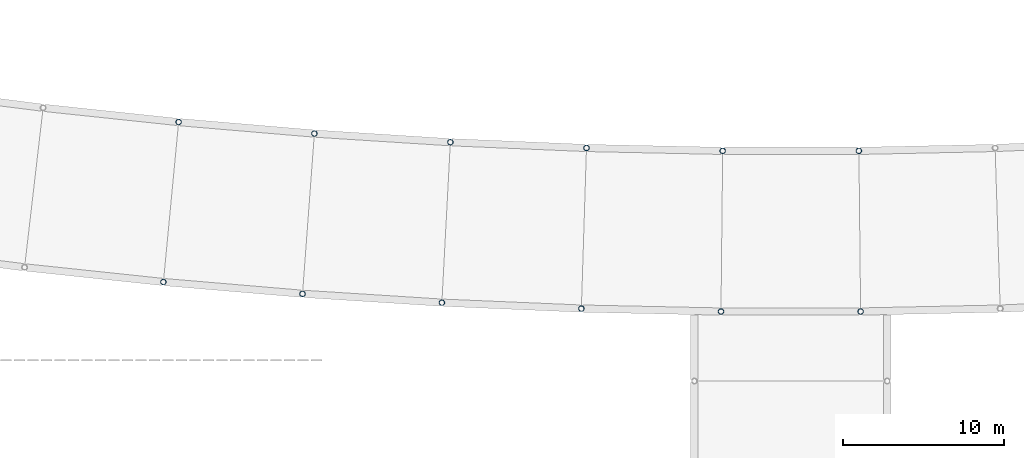
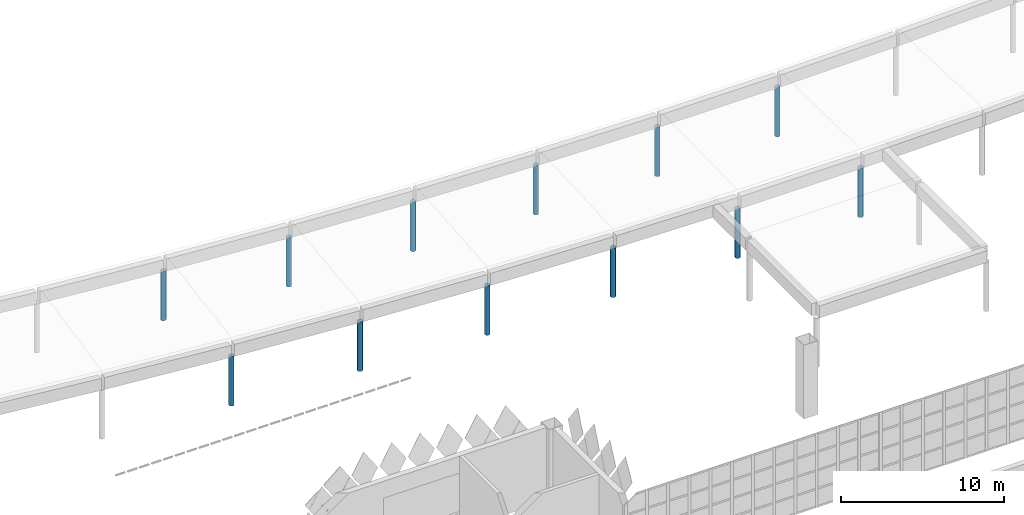
# One storey, part 10 of 185: 12 columns.
"""IFC4 building model written with IfcOpenShell, lengths in metres."""

from ifc_helpers import new_model, si_unit, direction, frame, origin, origin_2d, place, context, subcontext, project, spatial, hollow_circle, extrude, material, material_profile, profile_set, type_object, element, save


model = new_model("IFC4")

# Units and contexts
model_context = context("Model", 3, precision=1e-05, world=origin(), true_north=direction((0.0, 1.0)))
body_context = subcontext(model_context, "Body", "Model", "MODEL_VIEW")
ifc_project = project(units=[si_unit("LENGTHUNIT", "METRE"), si_unit("AREAUNIT", "SQUARE_METRE"), si_unit("VOLUMEUNIT", "CUBIC_METRE"), si_unit("PLANEANGLEUNIT", "RADIAN"), si_unit("MASSUNIT", "GRAM", prefix="KILO")], contexts=[model_context])

# Site, building, storey
site_placement = place(None, origin())
site = spatial("IfcSite", under=ifc_project, at=site_placement, CompositionType="ELEMENT")
building_placement = place(site_placement, origin())
building = spatial("IfcBuilding", under=site, at=building_placement, Name="Opaline Strait Convention Centre", CompositionType="ELEMENT")
storey_placement = place(building_placement, frame((0.0, 0.0, 6.0)))
storey = spatial("IfcBuildingStorey", under=building, at=storey_placement, Name="L01", CompositionType="ELEMENT", Elevation=6.0)

# Columns
ifc_material = material(Name="Steel Q355B", Category="steel")
ifc_material_profile = material_profile(ifc_material, hollow_circle(Radius=0.175537109375, WallThickness=0.01611328125, at=origin_2d()), Name="CHS 351x16")
ifc_profile_set = profile_set([ifc_material_profile], Name="Steel Q355B")
column_type = type_object("IfcColumnType", Name="Arcade column CHS 351x16", PredefinedType="COLUMN", material=ifc_profile_set)
for number, where, z_axis, x_axis, name in (
    (1, (140.96142578125, 171.358642578125, 0.0), (0.0, 0.0, 1.0), (1.0, 0.0, 0.0), "Arcade column SC-I06"),
    (2, (149.6181640625, 170.625732421875, 0.0), (0.0, 0.0, 1.0), (1.0, 0.0, 0.0), "Arcade column SC-I07"),
    (3, (158.28857421875, 170.074951171875, 0.0), (0.0, 0.0, 1.0), (1.0, 0.0, 0.0), "Arcade column SC-I08"),
    (4, (166.968994140625, 169.70703125, 0.0), (0.0, 0.0, 1.0), (1.0, 0.0, 0.0), "Arcade column SC-I09"),
    (5, (175.65576171875, 169.52294921875, 0.0), (0.0, 0.0, 1.0), (1.0, 0.0, 0.0), "Arcade column SC-I10"),
    (6, (184.34423828125, 169.52294921875, 0.0), (0.0, 0.0, 1.0), (1.0, 0.0, 0.0), "Arcade column SC-I11"),
    (7, (141.909423828125, 181.313720703125, 0.0), (0.0, 0.0, 1.0), (1.0, 0.0, 0.0), "Arcade column SC-O06"),
    (8, (150.357177734375, 180.598388671875, 0.0), (0.0, 0.0, 1.0), (1.0, 0.0, 0.0), "Arcade column SC-O07"),
    (9, (158.8173828125, 180.060791015625, 0.0), (0.0, 0.0, 1.0), (1.0, 0.0, 0.0), "Arcade column SC-O08"),
    (10, (167.28662109375, 179.7021484375, 0.0), (0.0, 0.0, 1.0), (1.0, 0.0, 0.0), "Arcade column SC-O09"),
    (11, (175.76171875, 179.5224609375, 0.0), (0.0, 0.0, 1.0), (1.0, 0.0, 0.0), "Arcade column SC-O10"),
    (12, (184.23828125, 179.5224609375, 0.0), (0.0, 0.0, 1.0), (1.0, 0.0, 0.0), "Arcade column SC-O11"),
):
    element("IfcColumn", number, at=place(storey_placement, frame(where, z_axis=z_axis, x_axis=x_axis)), inside=storey, type_object=column_type, Name=name, ObjectType="SCC1", PredefinedType="COLUMN", context=body_context, shape_type="SweptSolid", body=[
        extrude(hollow_circle(Radius=0.175537109375, WallThickness=0.01611328125, at=origin_2d()), origin(), (0.0, 0.0, 1.0), 3.68505859375),
    ])

save(model, "model.ifc")
